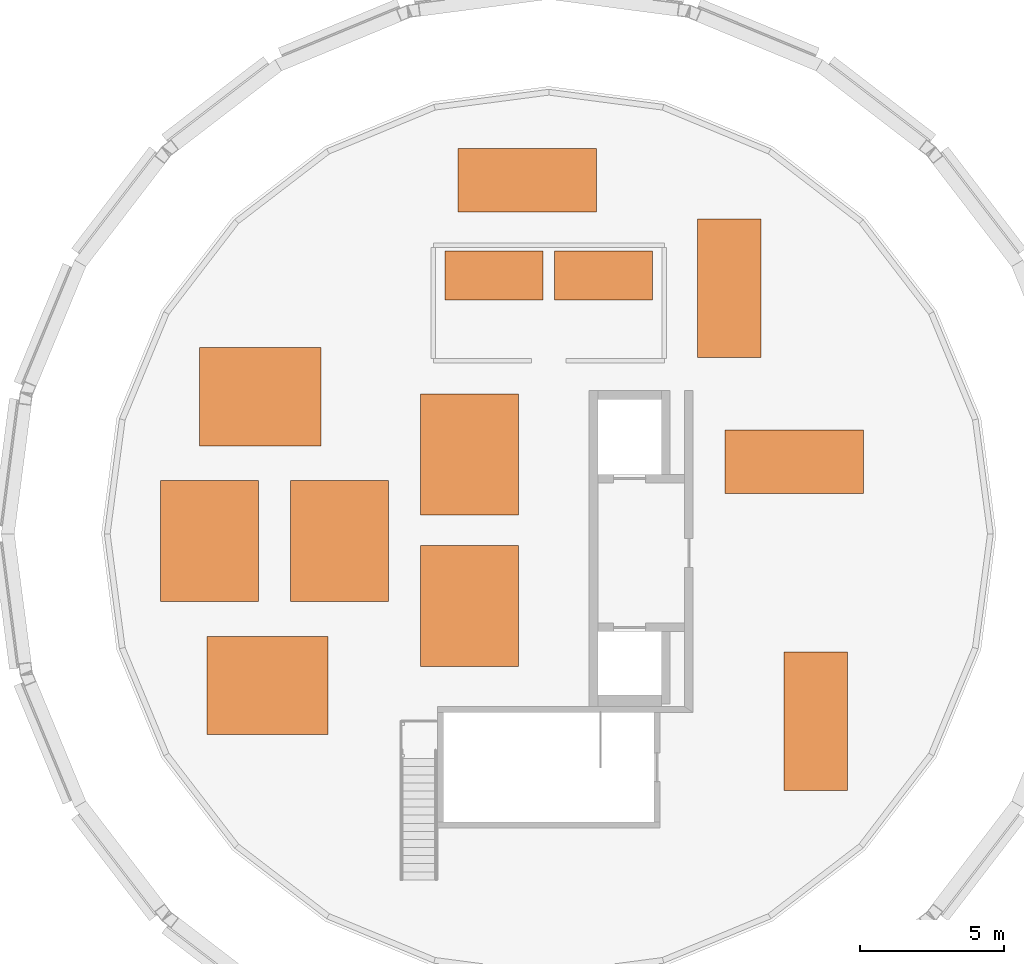
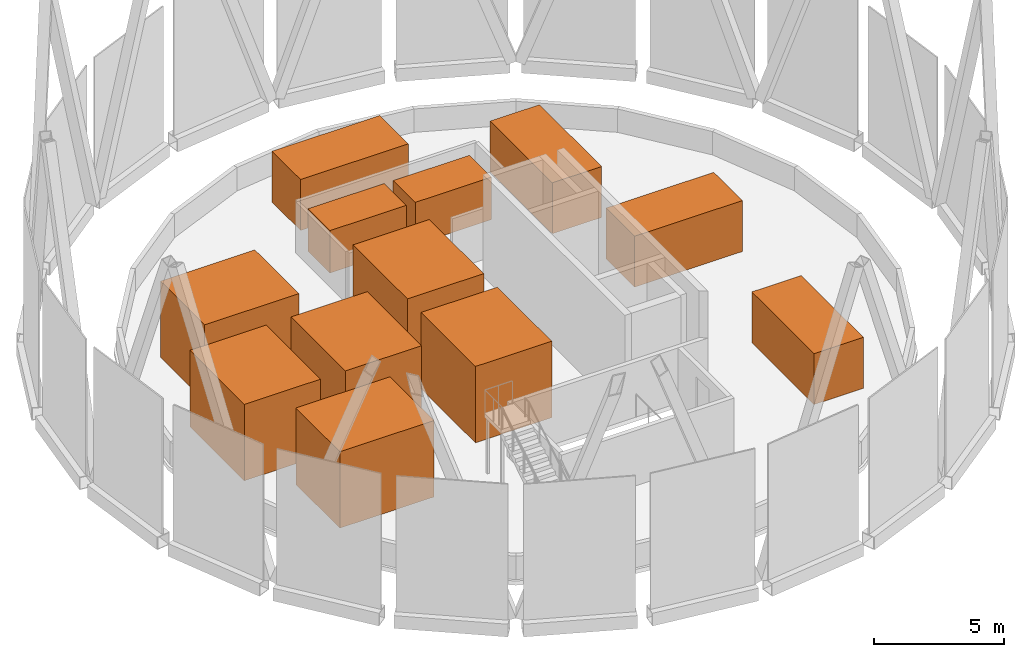
# One storey, part 4 of 4: 12 proxies.
"""IFC4 building model written with IfcOpenShell, lengths in metres."""

from ifc_helpers import new_model, si_unit, direction, frame, origin, origin_2d, place, context, subcontext, project, spatial, rectangle, extrude, source, transform, mapped, material, type_object, element, save


model = new_model("IFC4")

# Units and contexts
model_context = context("Model", 3, precision=1e-05, world=origin(), true_north=direction((0.0, 1.0)))
body_context = subcontext(model_context, "Body", "Model", "MODEL_VIEW")
ifc_project = project(units=[si_unit("LENGTHUNIT", "METRE"), si_unit("AREAUNIT", "SQUARE_METRE"), si_unit("VOLUMEUNIT", "CUBIC_METRE"), si_unit("PLANEANGLEUNIT", "RADIAN"), si_unit("MASSUNIT", "GRAM", prefix="KILO")], contexts=[model_context])

# Site, building, storey
site_placement = place(None, origin())
site = spatial("IfcSite", under=ifc_project, at=site_placement, CompositionType="ELEMENT")
building_placement = place(site_placement, origin())
building = spatial("IfcBuilding", under=site, at=building_placement, Name="Triune Harvest Tower", CompositionType="ELEMENT")
storey_placement = place(building_placement, frame((0.0, 0.0, 299.699951171875)))
storey = spatial("IfcBuildingStorey", under=building, at=storey_placement, Name="RF", CompositionType="ELEMENT", Elevation=299.699951171875)

# Proxies
ifc_material_1 = material(Name="Aluminium bronze anodised", Category="aluminium")
building_element_proxy_type_1 = type_object("IfcBuildingElementProxyType", Name="CT-1 cooling tower cell 4200 x 3400", PredefinedType="USERDEFINED", material=ifc_material_1)
shared_shape_1 = source(origin(), body_context, "Body", "SweptSolid", [
    extrude(rectangle(XDim=3.39990234375, YDim=4.199951171875, at=origin_2d()), origin(), (0.0, 0.0, 1.0), 3.60009765625),
])
for number, where, z_axis, x_axis, name in (
    (1, (-11.75, -0.25, 0.0), (0.0, 0.0, 1.0), (1.0, 0.0, 0.0), "Cooling tower cell 1"),
    (2, (-7.25, -0.25, 0.0), (0.0, 0.0, 1.0), (1.0, 0.0, 0.0), "Cooling tower cell 4"),
    (3, (-2.75, -2.5, 0.0), (0.0, 0.0, 1.0), (1.0, 0.0, 0.0), "Cooling tower cell 5"),
    (4, (-2.75, 2.75, 0.0), (0.0, 0.0, 1.0), (1.0, 0.0, 0.0), "Cooling tower cell 6"),
):
    element("IfcBuildingElementProxy", number, at=place(storey_placement, frame(where, z_axis=z_axis, x_axis=x_axis)), inside=storey, type_object=building_element_proxy_type_1, Name=name, ObjectType="COOLING TOWER", PredefinedType="USERDEFINED", context=body_context, shape_type="MappedRepresentation", body=[
        mapped(shared_shape_1, transform((0.0, 0.0, 0.0), scale=1.0)),
    ])
shared_shape_2 = source(origin(), body_context, "Body", "SweptSolid", [
    extrude(rectangle(XDim=4.199951171875, YDim=3.39990234375, at=origin_2d()), origin(), (0.0, 0.0, 1.0), 3.60009765625),
])
for number, where, z_axis, x_axis, name in (
    (5, (-10.0, 4.75, 0.0), (0.0, 0.0, 1.0), (1.0, 0.0, 0.0), "Cooling tower cell 2"),
    (6, (-9.75, -5.25, 0.0), (0.0, 0.0, 1.0), (1.0, 0.0, 0.0), "Cooling tower cell 3"),
):
    element("IfcBuildingElementProxy", number, at=place(storey_placement, frame(where, z_axis=z_axis, x_axis=x_axis)), inside=storey, type_object=building_element_proxy_type_1, Name=name, ObjectType="COOLING TOWER", PredefinedType="USERDEFINED", context=body_context, shape_type="MappedRepresentation", body=[
        mapped(shared_shape_2, transform((0.0, 0.0, 0.0), scale=1.0)),
    ])
ifc_material_2 = material(Name="Aluminium bronze anodised", Category="aluminium")
building_element_proxy_type_2 = type_object("IfcBuildingElementProxyType", Name="AH-1 roof air handling unit 4800 x 2200", PredefinedType="USERDEFINED", material=ifc_material_2)
shared_shape_3 = source(origin(), body_context, "Body", "SweptSolid", [
    extrude(rectangle(XDim=4.800048828125, YDim=2.199951171875, at=origin_2d()), origin(), (0.0, 0.0, 1.0), 2.39990234375),
])
for number, where, z_axis, x_axis, name in (
    (7, (-0.75, 12.25, 0.0), (0.0, 0.0, 1.0), (1.0, 0.0, 0.0), "Roof air handling unit 1"),
    (8, (8.5, 2.5, 0.0), (0.0, 0.0, 1.0), (1.0, 0.0, 0.0), "Roof air handling unit 3"),
):
    element("IfcBuildingElementProxy", number, at=place(storey_placement, frame(where, z_axis=z_axis, x_axis=x_axis)), inside=storey, type_object=building_element_proxy_type_2, Name=name, ObjectType="AIR HANDLING UNIT", PredefinedType="USERDEFINED", context=body_context, shape_type="MappedRepresentation", body=[
        mapped(shared_shape_3, transform((0.0, 0.0, 0.0), scale=1.0)),
    ])
shared_shape_4 = source(origin(), body_context, "Body", "SweptSolid", [
    extrude(rectangle(XDim=2.199951171875, YDim=4.800048828125, at=origin_2d()), origin(), (0.0, 0.0, 1.0), 2.39990234375),
])
for number, where, z_axis, x_axis, name in (
    (9, (6.25, 8.5, 0.0), (0.0, 0.0, 1.0), (1.0, 0.0, 0.0), "Roof air handling unit 2"),
    (10, (9.25, -6.5, 0.0), (0.0, 0.0, 1.0), (1.0, 0.0, 0.0), "Roof air handling unit 4"),
):
    element("IfcBuildingElementProxy", number, at=place(storey_placement, frame(where, z_axis=z_axis, x_axis=x_axis)), inside=storey, type_object=building_element_proxy_type_2, Name=name, ObjectType="AIR HANDLING UNIT", PredefinedType="USERDEFINED", context=body_context, shape_type="MappedRepresentation", body=[
        mapped(shared_shape_4, transform((0.0, 0.0, 0.0), scale=1.0)),
    ])
ifc_material_3 = material(Name="Aluminium bronze anodised", Category="aluminium")
building_element_proxy_type_3 = type_object("IfcBuildingElementProxyType", Name="AH-2 screened air handling unit 3400 x 1700", PredefinedType="USERDEFINED", material=ifc_material_3)
shared_shape_5 = source(origin(), body_context, "Body", "SweptSolid", [
    extrude(rectangle(XDim=3.39990234375, YDim=1.699951171875, at=origin_2d()), origin(), (0.0, 0.0, 1.0), 2.0),
])
for number, where, z_axis, x_axis, name in (
    (11, (-1.89990234375, 8.949951171875, 0.0), (0.0, 0.0, 1.0), (1.0, 0.0, 0.0), "Screened air handling unit 1"),
    (12, (1.89990234375, 8.949951171875, 0.0), (0.0, 0.0, 1.0), (1.0, 0.0, 0.0), "Screened air handling unit 2"),
):
    element("IfcBuildingElementProxy", number, at=place(storey_placement, frame(where, z_axis=z_axis, x_axis=x_axis)), inside=storey, type_object=building_element_proxy_type_3, Name=name, ObjectType="AIR HANDLING UNIT", PredefinedType="USERDEFINED", context=body_context, shape_type="MappedRepresentation", body=[
        mapped(shared_shape_5, transform((0.0, 0.0, 0.0), scale=1.0)),
    ])

save(model, "model.ifc")
